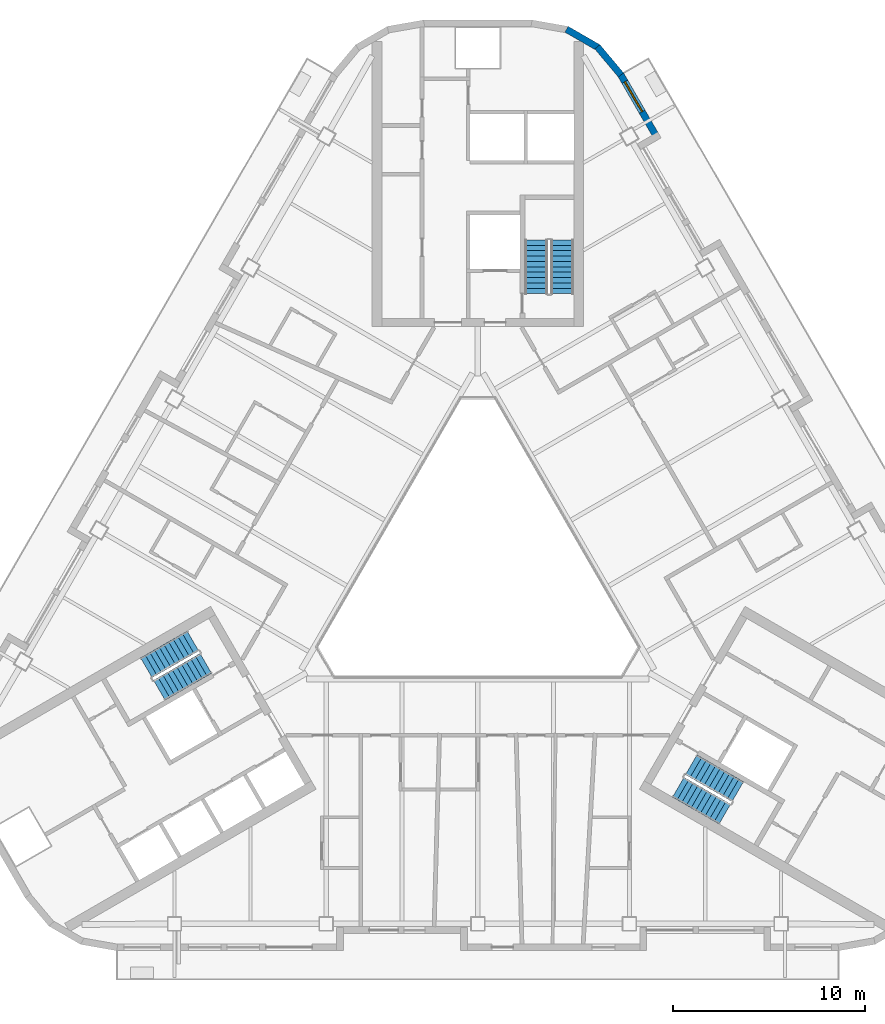
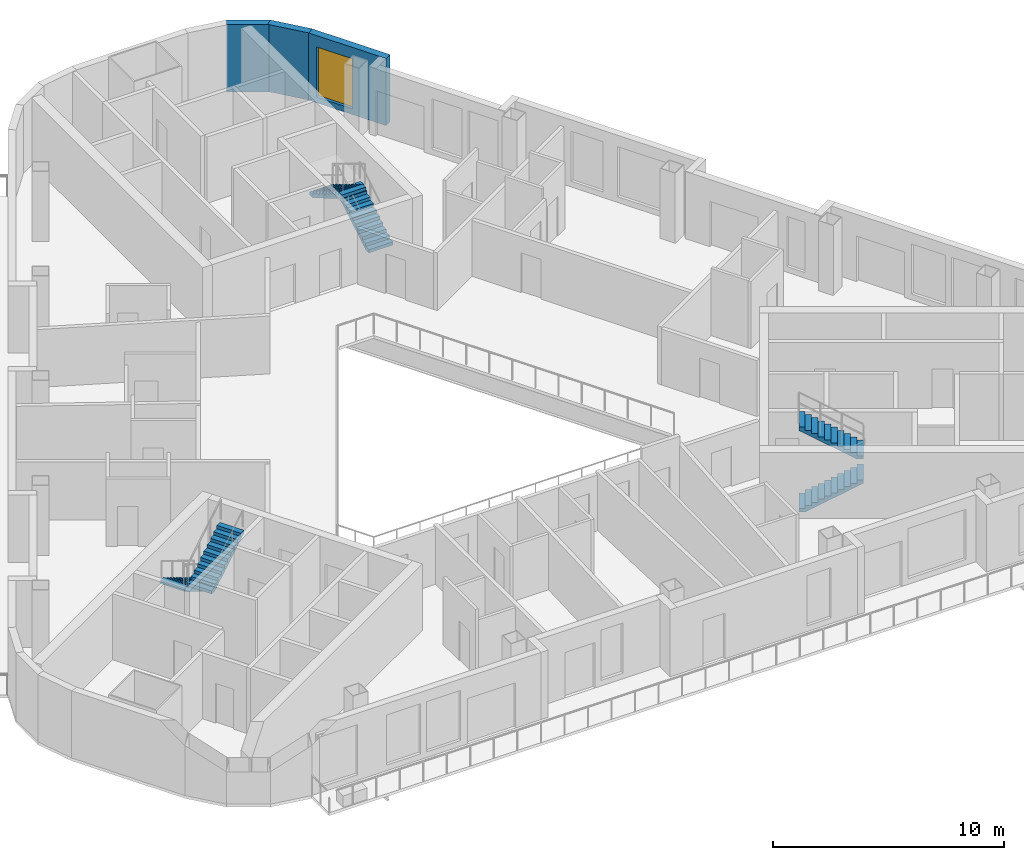
# One storey, part 8 of 14: 6 stair flights, 3 walls, 1 window, 1 opening, 3 elements without a shape of their own.
"""IFC4 building model written with IfcOpenShell, lengths in metres."""

from ifc_helpers import new_model, si_unit, direction, frame, frame_2d, origin, place, context, subcontext, project, spatial, polyline, rectangle, outline, extrude, material, layer, layer_set, type_object, element, fill, aggregate, save


model = new_model("IFC4")

# Units and contexts
model_context = context("Model", 3, precision=1e-05, world=origin(), true_north=direction((0.0, 1.0)))
body_context = subcontext(model_context, "Body", "Model", "MODEL_VIEW")
ifc_project = project(units=[si_unit("LENGTHUNIT", "METRE"), si_unit("AREAUNIT", "SQUARE_METRE"), si_unit("VOLUMEUNIT", "CUBIC_METRE"), si_unit("PLANEANGLEUNIT", "RADIAN"), si_unit("MASSUNIT", "GRAM", prefix="KILO")], contexts=[model_context])

# Site, building, storey
site_placement = place(None, origin())
site = spatial("IfcSite", under=ifc_project, at=site_placement, CompositionType="ELEMENT")
building_placement = place(site_placement, origin())
building = spatial("IfcBuilding", under=site, at=building_placement, Name="Apuvela Tower Hotel", CompositionType="ELEMENT")
storey_placement = place(building_placement, frame((0.0, 0.0, 220.60009765625)))
storey = spatial("IfcBuildingStorey", under=building, at=storey_placement, Name="L54", CompositionType="ELEMENT", Elevation=220.60009765625)

# Wall, opening, window
ifc_material_1 = material(Name="Concrete C40/50, dark pigmented precast panel", Category="concrete")
ifc_layer = layer(ifc_material_1, 0.35009765625)
ifc_layer_set = layer_set([ifc_layer], Name="ENV-WALL-350")
wall_type = type_object("IfcWallType", Name="ENV-WALL-350", PredefinedType="SOLIDWALL", material=ifc_layer_set)
wall_1_placement = place(storey_placement, frame((9.3984375, 22.631103515625, 0.0), z_axis=(0.0, 0.0, 1.0), x_axis=(-0.499954521343, 0.866051659307, 0.0)))
wall_1 = element("IfcWall", 1, at=wall_1_placement, inside=storey, type_object=wall_type, Name="External wall L54-41", PredefinedType="SOLIDWALL", context=body_context, shape_type="SweptSolid", body=[
    extrude(rectangle(XDim=3.915771484375, YDim=0.35009765625, at=frame_2d((1.9580078125, 0.0))), origin(), (0.0, 0.0, 1.0), 3.5498046875),
])
opening_placement = place(wall_1_placement, frame((1.67626953125, 0.0, 0.300048828125)))
opening = element("IfcOpeningElement", 2, at=opening_placement, cuts=wall_1, Name="Opening WN18", PredefinedType="OPENING", context=body_context, shape_type="SweptSolid", body=[
    extrude(rectangle(XDim=1.800048828125, YDim=2.64990234375, at=frame_2d((0.89990234375, 1.324951171875))), frame((0.0, 0.18505859375, 0.0), z_axis=(0.0, -1.0, 0.0), x_axis=(1.0, 0.0, 0.0)), (0.0, 0.0, 1.0), 0.3701171875),
])
ifc_material_2 = material(Name="Glass, dark tinted laminated insulated glazing unit", Category="glass")
window_type = type_object("IfcWindowType", Name="ENV-WIN-1800x2650", PartitioningType="SINGLE_PANEL", PredefinedType="WINDOW", material=ifc_material_2)
window_placement = place(opening_placement, origin())
window = element("IfcWindow", 3, at=window_placement, inside=storey, type_object=window_type, Name="Window WN18", OverallHeight=2.64990234375, OverallWidth=1.800048828125, PartitioningType="SINGLE_PANEL", PredefinedType="WINDOW", context=body_context, shape_type="SweptSolid", body=[
    extrude(rectangle(XDim=1.800048828125, YDim=2.64990234375, at=frame_2d((0.89990234375, 1.324951171875))), frame((0.0, 0.030029296875, 0.0), z_axis=(0.0, -1.0, 0.0), x_axis=(1.0, 0.0, 0.0)), (0.0, 0.0, 1.0), 0.06005859375),
])
fill(opening, window)

# Walls
wall_2_placement = place(storey_placement, frame((7.4580078125, 25.99755859375, 0.0), z_axis=(0.0, 0.0, 1.0), x_axis=(-0.642808304945, 0.766027077259, 0.0)))
element("IfcWall", 4, at=wall_2_placement, inside=storey, type_object=wall_type, Name="External wall L54-42", PredefinedType="SOLIDWALL", context=body_context, shape_type="SweptSolid", body=[
    extrude(rectangle(XDim=1.909912109375, YDim=0.35009765625, at=frame_2d((0.955078125, 0.0))), origin(), (0.0, 0.0, 1.0), 3.5498046875),
])
wall_3_placement = place(storey_placement, frame((6.27685546875, 27.421630859375, 0.0), z_axis=(0.0, 0.0, 1.0), x_axis=(-0.866032345022, 0.499987977232, 0.0)))
element("IfcWall", 5, at=wall_3_placement, inside=storey, type_object=wall_type, Name="External wall L54-43", PredefinedType="SOLIDWALL", context=body_context, shape_type="SweptSolid", body=[
    extrude(rectangle(XDim=1.91015625, YDim=0.35009765625, at=frame_2d((0.955078125, 0.0))), origin(), (0.0, 0.0, 1.0), 3.5498046875),
])

# Stair, stair flights
ifc_material_3 = material(Name="Concrete C50/60", Category="concrete")
stair_type = type_object("IfcStairType", Name="COR-STAIR-22R", PredefinedType="HALF_TURN_STAIR", material=ifc_material_3)
stair_1_placement = place(storey_placement, origin())
stair_1 = element("IfcStair", 6, at=stair_1_placement, inside=storey, type_object=stair_type, Name="L54 Exit stair ST1", PredefinedType="HALF_TURN_STAIR")
stair_flight_type = type_object("IfcStairFlightType", Name="COR-FLIGHT-11R", PredefinedType="STRAIGHT", material=ifc_material_3)
stair_flight_1_placement = place(storey_placement, frame((4.39990234375, 14.60009765625, 0.0), z_axis=(0.0, 0.0, 1.0), x_axis=(0.0, 1.0, 0.0)))
stair_flight_1 = element("IfcStairFlight", 7, at=stair_flight_1_placement, type_object=stair_flight_type, Name="ST1 flight 1", NumberOfRisers=11, NumberOfTreads=10, PredefinedType="STRAIGHT", RiserHeight=0.168181818, TreadLength=0.28, context=body_context, shape_type="SweptSolid", body=[
    extrude(outline(polyline([(0.0, 0.0), (0.0, 0.168212890625), (0.280029296875, 0.168212890625), (0.280029296875, 0.33642578125), (0.56005859375, 0.33642578125), (0.56005859375, 0.504638671875), (0.840087890625, 0.504638671875), (0.840087890625, 0.672607421875), (1.1201171875, 0.672607421875), (1.1201171875, 0.8408203125), (1.39990234375, 0.8408203125), (1.39990234375, 1.009033203125), (1.679931640625, 1.009033203125), (1.679931640625, 1.17724609375), (1.9599609375, 1.17724609375), (1.9599609375, 1.345458984375), (2.239990234375, 1.345458984375), (2.239990234375, 1.513671875), (2.52001953125, 1.513671875), (2.52001953125, 1.681884765625), (2.800048828125, 1.681884765625), (2.800048828125, 1.85009765625), (2.800048828125, 1.5068359375), (0.291015625, 0.0), (0.0, 0.0)])), frame((0.0, 0.60009765625, 0.0), z_axis=(0.0, -1.0, 0.0), x_axis=(1.0, 0.0, 0.0)), (0.0, 0.0, 1.0), 1.199951171875),
])
stair_flight_2_placement = place(storey_placement, frame((3.050048828125, 17.39990234375, 1.849853515625), z_axis=(0.0, 0.0, 1.0), x_axis=(0.0, -1.0, 0.0)))
stair_flight_2 = element("IfcStairFlight", 8, at=stair_flight_2_placement, type_object=stair_flight_type, Name="ST1 flight 2", NumberOfRisers=11, NumberOfTreads=10, PredefinedType="STRAIGHT", RiserHeight=0.168181818, TreadLength=0.28, context=body_context, shape_type="SweptSolid", body=[
    extrude(outline(polyline([(0.0, 0.0), (0.0, 0.168212890625), (0.280029296875, 0.168212890625), (0.280029296875, 0.33642578125), (0.56005859375, 0.33642578125), (0.56005859375, 0.504638671875), (0.840087890625, 0.504638671875), (0.840087890625, 0.672607421875), (1.1201171875, 0.672607421875), (1.1201171875, 0.8408203125), (1.39990234375, 0.8408203125), (1.39990234375, 1.009033203125), (1.679931640625, 1.009033203125), (1.679931640625, 1.17724609375), (1.9599609375, 1.17724609375), (1.9599609375, 1.345458984375), (2.239990234375, 1.345458984375), (2.239990234375, 1.513671875), (2.52001953125, 1.513671875), (2.52001953125, 1.681884765625), (2.800048828125, 1.681884765625), (2.800048828125, 1.85009765625), (2.800048828125, 1.5068359375), (0.291015625, 0.0), (0.0, 0.0)])), frame((0.0, 0.60009765625, 0.0), z_axis=(0.0, -1.0, 0.0), x_axis=(1.0, 0.0, 0.0)), (0.0, 0.0, 1.0), 1.199951171875),
])
aggregate(stair_1, [stair_flight_1, stair_flight_2])

stair_2_placement = place(storey_placement, origin())
stair_2 = element("IfcStair", 9, at=stair_2_placement, inside=storey, type_object=stair_type, Name="L54 Exit stair ST2", PredefinedType="HALF_TURN_STAIR")
stair_flight_3_placement = place(storey_placement, frame((-14.843994140625, -3.489501953125, 0.0), z_axis=(0.0, 0.0, 1.0), x_axis=(-0.866025403784, -0.5, 0.0)))
stair_flight_3 = element("IfcStairFlight", 10, at=stair_flight_3_placement, type_object=stair_flight_type, Name="ST2 flight 1", NumberOfRisers=11, NumberOfTreads=10, PredefinedType="STRAIGHT", RiserHeight=0.168181818, TreadLength=0.28, context=body_context, shape_type="SweptSolid", body=[
    extrude(outline(polyline([(0.0, 0.0), (0.0, 0.168212890625), (0.280029296875, 0.168212890625), (0.280029296875, 0.33642578125), (0.56005859375, 0.33642578125), (0.56005859375, 0.504638671875), (0.840087890625, 0.504638671875), (0.840087890625, 0.672607421875), (1.1201171875, 0.672607421875), (1.1201171875, 0.8408203125), (1.39990234375, 0.8408203125), (1.39990234375, 1.009033203125), (1.679931640625, 1.009033203125), (1.679931640625, 1.17724609375), (1.9599609375, 1.17724609375), (1.9599609375, 1.345458984375), (2.239990234375, 1.345458984375), (2.239990234375, 1.513671875), (2.52001953125, 1.513671875), (2.52001953125, 1.681884765625), (2.800048828125, 1.681884765625), (2.800048828125, 1.85009765625), (2.800048828125, 1.5068359375), (0.291015625, 0.0), (0.0, 0.0)])), frame((0.0, 0.60009765625, 0.0), z_axis=(0.0, -1.0, 0.0), x_axis=(1.0, 0.0, 0.0)), (0.0, 0.0, 1.0), 1.199951171875),
])
stair_flight_4_placement = place(storey_placement, frame((-16.59375, -6.05859375, 1.849853515625), z_axis=(0.0, 0.0, 1.0), x_axis=(0.866025403784, 0.5, 0.0)))
stair_flight_4 = element("IfcStairFlight", 11, at=stair_flight_4_placement, type_object=stair_flight_type, Name="ST2 flight 2", NumberOfRisers=11, NumberOfTreads=10, PredefinedType="STRAIGHT", RiserHeight=0.168181818, TreadLength=0.28, context=body_context, shape_type="SweptSolid", body=[
    extrude(outline(polyline([(0.0, 0.0), (0.0, 0.168212890625), (0.280029296875, 0.168212890625), (0.280029296875, 0.33642578125), (0.56005859375, 0.33642578125), (0.56005859375, 0.504638671875), (0.840087890625, 0.504638671875), (0.840087890625, 0.672607421875), (1.1201171875, 0.672607421875), (1.1201171875, 0.8408203125), (1.39990234375, 0.8408203125), (1.39990234375, 1.009033203125), (1.679931640625, 1.009033203125), (1.679931640625, 1.17724609375), (1.9599609375, 1.17724609375), (1.9599609375, 1.345458984375), (2.239990234375, 1.345458984375), (2.239990234375, 1.513671875), (2.52001953125, 1.513671875), (2.52001953125, 1.681884765625), (2.800048828125, 1.681884765625), (2.800048828125, 1.85009765625), (2.800048828125, 1.5068359375), (0.291015625, 0.0), (0.0, 0.0)])), frame((0.0, 0.60009765625, 0.0), z_axis=(0.0, -1.0, 0.0), x_axis=(1.0, 0.0, 0.0)), (0.0, 0.0, 1.0), 1.199951171875),
])
aggregate(stair_2, [stair_flight_3, stair_flight_4])

stair_3_placement = place(storey_placement, origin())
stair_3 = element("IfcStair", 12, at=stair_3_placement, inside=storey, type_object=stair_type, Name="L54 Exit stair ST3", PredefinedType="HALF_TURN_STAIR")
stair_flight_5_placement = place(storey_placement, frame((10.444091796875, -11.110595703125, 0.0), z_axis=(0.0, 0.0, 1.0), x_axis=(0.866025403784, -0.5, 0.0)))
stair_flight_5 = element("IfcStairFlight", 13, at=stair_flight_5_placement, type_object=stair_flight_type, Name="ST3 flight 1", NumberOfRisers=11, NumberOfTreads=10, PredefinedType="STRAIGHT", RiserHeight=0.168181818, TreadLength=0.28, context=body_context, shape_type="SweptSolid", body=[
    extrude(outline(polyline([(0.0, 0.0), (0.0, 0.168212890625), (0.280029296875, 0.168212890625), (0.280029296875, 0.33642578125), (0.56005859375, 0.33642578125), (0.56005859375, 0.504638671875), (0.840087890625, 0.504638671875), (0.840087890625, 0.672607421875), (1.1201171875, 0.672607421875), (1.1201171875, 0.8408203125), (1.39990234375, 0.8408203125), (1.39990234375, 1.009033203125), (1.679931640625, 1.009033203125), (1.679931640625, 1.17724609375), (1.9599609375, 1.17724609375), (1.9599609375, 1.345458984375), (2.239990234375, 1.345458984375), (2.239990234375, 1.513671875), (2.52001953125, 1.513671875), (2.52001953125, 1.681884765625), (2.800048828125, 1.681884765625), (2.800048828125, 1.85009765625), (2.800048828125, 1.5068359375), (0.291015625, 0.0), (0.0, 0.0)])), frame((0.0, 0.60009765625, 0.0), z_axis=(0.0, -1.0, 0.0), x_axis=(1.0, 0.0, 0.0)), (0.0, 0.0, 1.0), 1.199951171875),
])
stair_flight_6_placement = place(storey_placement, frame((13.5439453125, -11.34130859375, 1.849853515625), z_axis=(0.0, 0.0, 1.0), x_axis=(-0.866025403784, 0.5, 0.0)))
stair_flight_6 = element("IfcStairFlight", 14, at=stair_flight_6_placement, type_object=stair_flight_type, Name="ST3 flight 2", NumberOfRisers=11, NumberOfTreads=10, PredefinedType="STRAIGHT", RiserHeight=0.168181818, TreadLength=0.28, context=body_context, shape_type="SweptSolid", body=[
    extrude(outline(polyline([(0.0, 0.0), (0.0, 0.168212890625), (0.280029296875, 0.168212890625), (0.280029296875, 0.33642578125), (0.56005859375, 0.33642578125), (0.56005859375, 0.504638671875), (0.840087890625, 0.504638671875), (0.840087890625, 0.672607421875), (1.1201171875, 0.672607421875), (1.1201171875, 0.8408203125), (1.39990234375, 0.8408203125), (1.39990234375, 1.009033203125), (1.679931640625, 1.009033203125), (1.679931640625, 1.17724609375), (1.9599609375, 1.17724609375), (1.9599609375, 1.345458984375), (2.239990234375, 1.345458984375), (2.239990234375, 1.513671875), (2.52001953125, 1.513671875), (2.52001953125, 1.681884765625), (2.800048828125, 1.681884765625), (2.800048828125, 1.85009765625), (2.800048828125, 1.5068359375), (0.291015625, 0.0), (0.0, 0.0)])), frame((0.0, 0.60009765625, 0.0), z_axis=(0.0, -1.0, 0.0), x_axis=(1.0, 0.0, 0.0)), (0.0, 0.0, 1.0), 1.199951171875),
])
aggregate(stair_3, [stair_flight_5, stair_flight_6])

save(model, "model.ifc")
